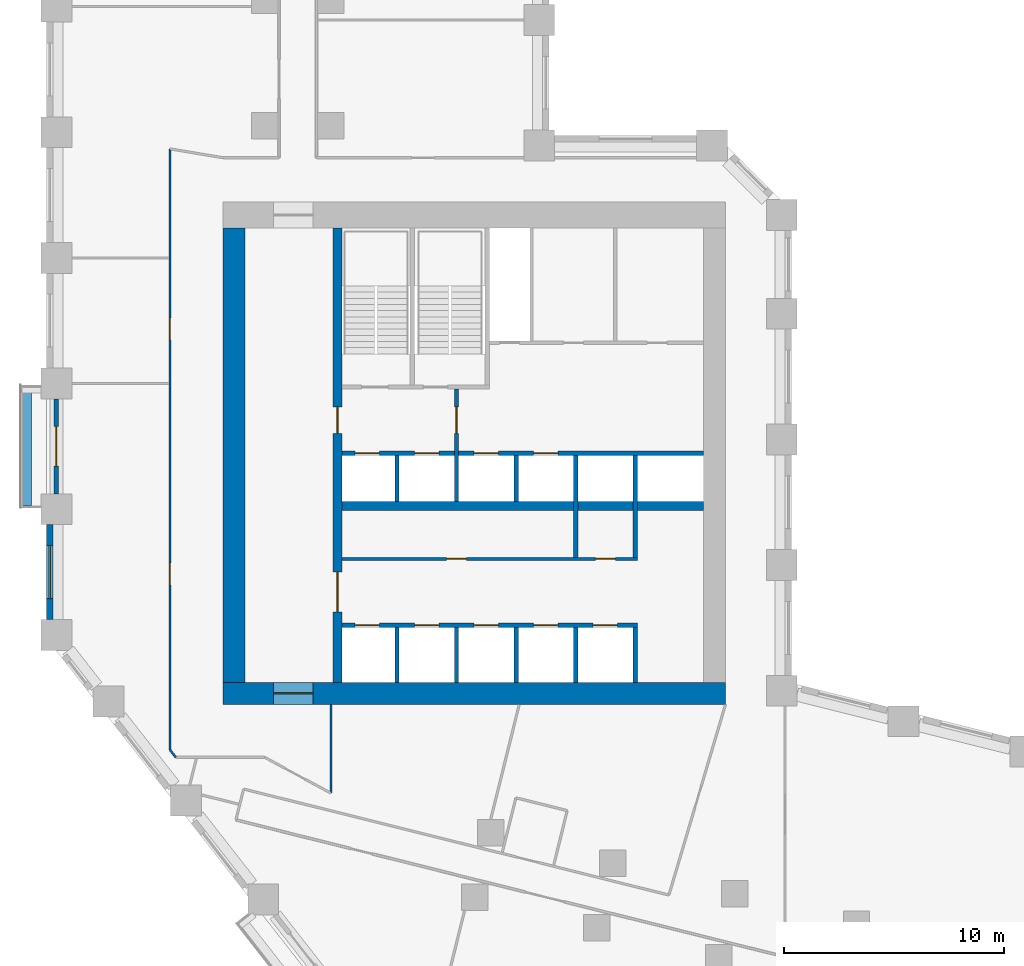
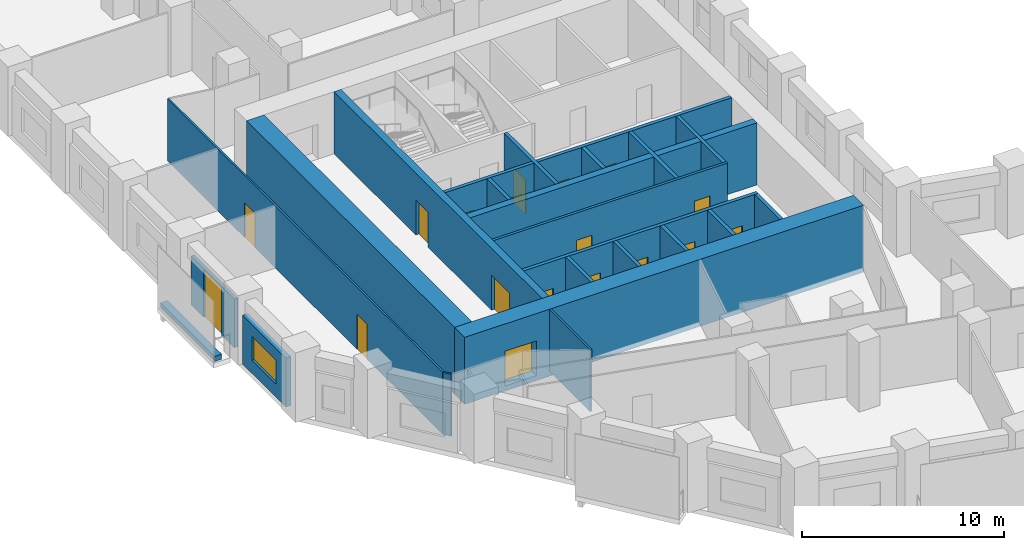
# One storey, part 5 of 12: 23 walls, 18 doors, 1 window, 19 openings.
"""IFC4 building model written with IfcOpenShell, lengths in metres."""

from ifc_helpers import new_model, si_unit, direction, frame, frame_2d, origin, place, context, subcontext, project, spatial, rectangle, extrude, material, layer, layer_set, type_object, element, fill, save


model = new_model("IFC4")

# Units and contexts
model_context = context("Model", 3, precision=1e-05, world=origin(), true_north=direction((0.0, 1.0)))
body_context = subcontext(model_context, "Body", "Model", "MODEL_VIEW")
ifc_project = project(units=[si_unit("LENGTHUNIT", "METRE"), si_unit("AREAUNIT", "SQUARE_METRE"), si_unit("VOLUMEUNIT", "CUBIC_METRE"), si_unit("PLANEANGLEUNIT", "RADIAN"), si_unit("MASSUNIT", "GRAM", prefix="KILO")], contexts=[model_context])

# Site, building, storey
site_placement = place(None, origin())
site = spatial("IfcSite", under=ifc_project, at=site_placement, CompositionType="ELEMENT")
building_placement = place(site_placement, origin())
building = spatial("IfcBuilding", under=site, at=building_placement, Name="Meshkara Civic Tower", CompositionType="ELEMENT")
storey_placement = place(building_placement, frame((0.0, 0.0, 87.60009765625)))
storey = spatial("IfcBuildingStorey", under=building, at=storey_placement, Name="L19", CompositionType="ELEMENT", Elevation=87.60009765625)

# Wall, openings, doors
ifc_material_1 = material(Name="Blockwork", Category="masonry")
ifc_layer_1 = layer(ifc_material_1, 0.14990234375)
ifc_layer_set_1 = layer_set([ifc_layer_1], Name="Core partition 150")
wall_type_1 = type_object("IfcWallType", Name="Core partition 150", PredefinedType="PARTITIONING", material=ifc_layer_set_1)
wall_1_placement = place(storey_placement, frame((13.39990234375, 20.699951171875, 0.0), z_axis=(0.0, 0.0, 1.0), x_axis=(1.0, 0.0, 0.0)))
wall_1 = element("IfcWall", 1, at=wall_1_placement, inside=storey, type_object=wall_type_1, Name="L19-C006", PredefinedType="PARTITIONING", context=body_context, shape_type="SweptSolid", body=[
    extrude(rectangle(XDim=13.400146484375, YDim=0.14990234375, at=frame_2d((6.7001953125, 0.0))), origin(), (0.0, 0.0, 1.0), 3.75),
])
opening_1_placement = place(wall_1_placement, frame((4.75, 0.0, 0.0)))
opening_1 = element("IfcOpeningElement", 2, at=opening_1_placement, cuts=wall_1, Name="Opening L19-K010", PredefinedType="OPENING", context=body_context, shape_type="SweptSolid", body=[
    extrude(rectangle(XDim=0.89990234375, YDim=2.10009765625, at=frame_2d((0.449951171875, 1.050048828125))), frame((0.0, 0.0849609375, 0.0), z_axis=(0.0, -1.0, 0.0), x_axis=(1.0, 0.0, 0.0)), (0.0, 0.0, 1.0), 0.169921875),
])
opening_2_placement = place(wall_1_placement, frame((11.5, 0.0, 0.0)))
opening_2 = element("IfcOpeningElement", 3, at=opening_2_placement, cuts=wall_1, Name="Opening L19-K011", PredefinedType="OPENING", context=body_context, shape_type="SweptSolid", body=[
    extrude(rectangle(XDim=0.89990234375, YDim=2.10009765625, at=frame_2d((0.449951171875, 1.050048828125))), frame((0.0, 0.0849609375, 0.0), z_axis=(0.0, -1.0, 0.0), x_axis=(1.0, 0.0, 0.0)), (0.0, 0.0, 1.0), 0.169921875),
])
ifc_material_2 = material(Name="Timber door leaf in steel frame", Category="steel")
door_type_1 = type_object("IfcDoorType", Name="Core room door 900", OperationType="SINGLE_SWING_LEFT", PredefinedType="DOOR", material=ifc_material_2)
door_1_placement = place(opening_1_placement, origin())
door_1 = element("IfcDoor", 4, at=door_1_placement, inside=storey, type_object=door_type_1, Name="L19-K010", OperationType="SINGLE_SWING_RIGHT", OverallHeight=2.10009765625, OverallWidth=0.89990234375, PredefinedType="DOOR", context=body_context, shape_type="SweptSolid", body=[
    extrude(rectangle(XDim=0.89990234375, YDim=2.10009765625, at=frame_2d((0.449951171875, 1.050048828125))), frame((0.0, 0.02490234375, 0.0), z_axis=(0.0, -1.0, 0.0), x_axis=(1.0, 0.0, 0.0)), (0.0, 0.0, 1.0), 0.050048828125),
])
fill(opening_1, door_1)
door_2_placement = place(opening_2_placement, origin())
door_2 = element("IfcDoor", 5, at=door_2_placement, inside=storey, type_object=door_type_1, Name="L19-K011", OperationType="SINGLE_SWING_RIGHT", OverallHeight=2.10009765625, OverallWidth=0.89990234375, PredefinedType="DOOR", context=body_context, shape_type="SweptSolid", body=[
    extrude(rectangle(XDim=0.89990234375, YDim=2.10009765625, at=frame_2d((0.449951171875, 1.050048828125))), frame((0.0, 0.02490234375, 0.0), z_axis=(0.0, -1.0, 0.0), x_axis=(1.0, 0.0, 0.0)), (0.0, 0.0, 1.0), 0.050048828125),
])
fill(opening_2, door_2)

# Wall, opening, door
ifc_material_3 = material(Name="Concrete C80", Category="concrete")
ifc_layer_2 = layer(ifc_material_3, 1.0)
ifc_layer_set_2 = layer_set([ifc_layer_2], Name="Core ring wall 1000 C80")
wall_type_2 = type_object("IfcWallType", Name="Core ring wall 1000 C80", PredefinedType="SHEAR", material=ifc_layer_set_2)
wall_2_placement = place(storey_placement, frame((8.0, 14.60009765625, -0.300048828125), z_axis=(0.0, 0.0, 1.0), x_axis=(1.0, 0.0, 0.0)))
wall_2 = element("IfcWall", 6, at=wall_2_placement, inside=storey, type_object=wall_type_2, Name="L19-C001", PredefinedType="SHEAR", context=body_context, shape_type="SweptSolid", body=[
    extrude(rectangle(XDim=22.800048828125, YDim=1.0, at=frame_2d((11.39990234375, 0.0))), origin(), (0.0, 0.0, 1.0), 4.050048828125),
])
opening_3_placement = place(wall_2_placement, frame((2.300048828125, 0.0, 0.300048828125)))
opening_3 = element("IfcOpeningElement", 7, at=opening_3_placement, cuts=wall_2, Name="Opening L19-K021", PredefinedType="OPENING", context=body_context, shape_type="SweptSolid", body=[
    extrude(rectangle(XDim=1.800048828125, YDim=2.10009765625, at=frame_2d((0.89990234375, 1.050048828125))), frame((0.0, 0.510009765625, 0.0), z_axis=(0.0, -1.0, 0.0), x_axis=(1.0, 0.0, 0.0)), (0.0, 0.0, 1.0), 1.02001953125),
])
ifc_material_4 = material(Name="Fire-rated door leaf in steel frame", Category="steel")
door_type_2 = type_object("IfcDoorType", Name="Core double door 1800 EI 60", OperationType="DOUBLE_DOOR_SINGLE_SWING", PredefinedType="DOOR", material=ifc_material_4)
door_3_placement = place(opening_3_placement, origin())
door_3 = element("IfcDoor", 8, at=door_3_placement, inside=storey, type_object=door_type_2, Name="L19-K021", OperationType="DOUBLE_DOOR_SINGLE_SWING", OverallHeight=2.10009765625, OverallWidth=1.800048828125, PredefinedType="DOOR", context=body_context, shape_type="SweptSolid", body=[
    extrude(rectangle(XDim=1.800048828125, YDim=2.10009765625, at=frame_2d((0.89990234375, 1.050048828125))), frame((0.0, 0.02490234375, 0.0), z_axis=(0.0, -1.0, 0.0), x_axis=(1.0, 0.0, 0.0)), (0.0, 0.0, 1.0), 0.050048828125),
])
fill(opening_3, door_3)

# Walls
wall_3_placement = place(storey_placement, frame((8.5, 15.10009765625, -0.300048828125), z_axis=(0.0, 0.0, 1.0), x_axis=(0.0, 1.0, 0.0)))
element("IfcWall", 9, at=wall_3_placement, inside=storey, type_object=wall_type_2, Name="L19-C003", PredefinedType="SHEAR", context=body_context, shape_type="SweptSolid", body=[
    extrude(rectangle(XDim=20.599853515625, YDim=1.0, at=frame_2d((10.2998046875, 0.0))), origin(), (0.0, 0.0, 1.0), 4.050048828125),
])
ifc_material_5 = material(Name="Concrete C80", Category="concrete")
ifc_layer_3 = layer(ifc_material_5, 0.39990234375)
ifc_layer_set_3 = layer_set([ifc_layer_3], Name="Core shear wall 400 C80")
wall_type_3 = type_object("IfcWallType", Name="Core shear wall 400 C80", PredefinedType="SHEAR", material=ifc_layer_set_3)
wall_4_placement = place(storey_placement, frame((13.39990234375, 23.10009765625, 0.0), z_axis=(0.0, 0.0, 1.0), x_axis=(1.0, 0.0, 0.0)))
element("IfcWall", 10, at=wall_4_placement, inside=storey, type_object=wall_type_3, Name="L19-C007", PredefinedType="SHEAR", context=body_context, shape_type="SweptSolid", body=[
    extrude(rectangle(XDim=16.400146484375, YDim=0.39990234375, at=frame_2d((8.2001953125, 0.0))), origin(), (0.0, 0.0, 1.0), 3.75),
])

# Wall, openings, doors
wall_5_placement = place(storey_placement, frame((13.199951171875, 15.10009765625, 0.0), z_axis=(0.0, 0.0, 1.0), x_axis=(0.0, 1.0, 0.0)))
wall_5 = element("IfcWall", 11, at=wall_5_placement, inside=storey, type_object=wall_type_3, Name="L19-C011", PredefinedType="SHEAR", context=body_context, shape_type="SweptSolid", body=[
    extrude(rectangle(XDim=20.599853515625, YDim=0.39990234375, at=frame_2d((10.2998046875, 0.0))), origin(), (0.0, 0.0, 1.0), 3.75),
])
opening_4_placement = place(wall_5_placement, frame((3.199951171875, 0.0, 0.0)))
opening_4 = element("IfcOpeningElement", 12, at=opening_4_placement, cuts=wall_5, Name="Opening L19-K017", PredefinedType="OPENING", context=body_context, shape_type="SweptSolid", body=[
    extrude(rectangle(XDim=1.800048828125, YDim=2.10009765625, at=frame_2d((0.89990234375, 1.050048828125))), frame((0.0, 0.2099609375, 0.0), z_axis=(0.0, -1.0, 0.0), x_axis=(1.0, 0.0, 0.0)), (0.0, 0.0, 1.0), 0.419921875),
])
opening_5_placement = place(wall_5_placement, frame((11.300048828125, 0.0, 0.0)))
opening_5 = element("IfcOpeningElement", 13, at=opening_5_placement, cuts=wall_5, Name="Opening L19-K018", PredefinedType="OPENING", context=body_context, shape_type="SweptSolid", body=[
    extrude(rectangle(XDim=1.199951171875, YDim=2.10009765625, at=frame_2d((0.60009765625, 1.050048828125))), frame((0.0, 0.2099609375, 0.0), z_axis=(0.0, -1.0, 0.0), x_axis=(1.0, 0.0, 0.0)), (0.0, 0.0, 1.0), 0.419921875),
])
door_4_placement = place(opening_4_placement, origin())
door_4 = element("IfcDoor", 14, at=door_4_placement, inside=storey, type_object=door_type_2, Name="L19-K017", OperationType="DOUBLE_DOOR_SINGLE_SWING", OverallHeight=2.10009765625, OverallWidth=1.800048828125, PredefinedType="DOOR", context=body_context, shape_type="SweptSolid", body=[
    extrude(rectangle(XDim=1.800048828125, YDim=2.10009765625, at=frame_2d((0.89990234375, 1.050048828125))), frame((0.0, 0.02490234375, 0.0), z_axis=(0.0, -1.0, 0.0), x_axis=(1.0, 0.0, 0.0)), (0.0, 0.0, 1.0), 0.050048828125),
])
fill(opening_4, door_4)
ifc_material_6 = material(Name="Fire-rated door leaf in steel frame", Category="steel")
door_type_3 = type_object("IfcDoorType", Name="Fire-fighting lobby door 1200 EI 120", OperationType="SINGLE_SWING_LEFT", PredefinedType="DOOR", material=ifc_material_6)
door_5_placement = place(opening_5_placement, origin())
door_5 = element("IfcDoor", 15, at=door_5_placement, inside=storey, type_object=door_type_3, Name="L19-K018", OperationType="SINGLE_SWING_LEFT", OverallHeight=2.10009765625, OverallWidth=1.199951171875, PredefinedType="DOOR", context=body_context, shape_type="SweptSolid", body=[
    extrude(rectangle(XDim=1.199951171875, YDim=2.10009765625, at=frame_2d((0.60009765625, 1.050048828125))), frame((0.0, 0.02490234375, 0.0), z_axis=(0.0, -1.0, 0.0), x_axis=(1.0, 0.0, 0.0)), (0.0, 0.0, 1.0), 0.050048828125),
])
fill(opening_5, door_5)

ifc_material_7 = material(Name="Corridor wall 100")
ifc_layer_4 = layer(ifc_material_7, 0.10009765625)
ifc_layer_set_4 = layer_set([ifc_layer_4], Name="Corridor wall 100")
wall_type_4 = type_object("IfcWallType", Name="Corridor wall 100", PredefinedType="PARTITIONING", material=ifc_layer_set_4)
wall_6_placement = place(storey_placement, frame((5.60009765625, 12.04296875, 0.0), z_axis=(0.0, 0.0, 1.0), x_axis=(0.0, 1.0, 0.0)))
wall_6 = element("IfcWall", 16, at=wall_6_placement, inside=storey, type_object=wall_type_4, Name="L19-W003", PredefinedType="PARTITIONING", context=body_context, shape_type="SweptSolid", body=[
    extrude(rectangle(XDim=27.257080078125, YDim=0.10009765625, at=frame_2d((13.62841796875, 0.0))), origin(), (0.0, 0.0, 1.0), 3.75),
])
opening_6_placement = place(wall_6_placement, frame((7.47998046875, 0.0, 0.0)))
opening_6 = element("IfcOpeningElement", 17, at=opening_6_placement, cuts=wall_6, Name="Opening L19-D018", PredefinedType="OPENING", context=body_context, shape_type="SweptSolid", body=[
    extrude(rectangle(XDim=1.0, YDim=2.10009765625, at=frame_2d((0.5, 1.050048828125))), frame((0.0, 0.06005859375, 0.0), z_axis=(0.0, -1.0, 0.0), x_axis=(1.0, 0.0, 0.0)), (0.0, 0.0, 1.0), 0.1201171875),
])
opening_7_placement = place(wall_6_placement, frame((18.592041015625, 0.0, 0.0)))
opening_7 = element("IfcOpeningElement", 18, at=opening_7_placement, cuts=wall_6, Name="Opening L19-D019", PredefinedType="OPENING", context=body_context, shape_type="SweptSolid", body=[
    extrude(rectangle(XDim=1.0, YDim=2.10009765625, at=frame_2d((0.5, 1.050048828125))), frame((0.0, 0.06005859375, 0.0), z_axis=(0.0, -1.0, 0.0), x_axis=(1.0, 0.0, 0.0)), (0.0, 0.0, 1.0), 0.1201171875),
])
ifc_material_8 = material(Name="Door 1000 x 2100")
door_type_4 = type_object("IfcDoorType", Name="Door 1000 x 2100", OperationType="SINGLE_SWING_LEFT", PredefinedType="DOOR", material=ifc_material_8)
door_6_placement = place(opening_6_placement, origin())
door_6 = element("IfcDoor", 19, at=door_6_placement, inside=storey, type_object=door_type_4, Name="L19-D018", OperationType="SINGLE_SWING_LEFT", OverallHeight=2.10009765625, OverallWidth=1.0, PredefinedType="DOOR", context=body_context, shape_type="SweptSolid", body=[
    extrude(rectangle(XDim=1.0, YDim=2.10009765625, at=frame_2d((0.5, 1.050048828125))), frame((0.0, 0.02490234375, 0.0), z_axis=(0.0, -1.0, 0.0), x_axis=(1.0, 0.0, 0.0)), (0.0, 0.0, 1.0), 0.050048828125),
])
fill(opening_6, door_6)
door_7_placement = place(opening_7_placement, origin())
door_7 = element("IfcDoor", 20, at=door_7_placement, inside=storey, type_object=door_type_4, Name="L19-D019", OperationType="SINGLE_SWING_LEFT", OverallHeight=2.10009765625, OverallWidth=1.0, PredefinedType="DOOR", context=body_context, shape_type="SweptSolid", body=[
    extrude(rectangle(XDim=1.0, YDim=2.10009765625, at=frame_2d((0.5, 1.050048828125))), frame((0.0, 0.02490234375, 0.0), z_axis=(0.0, -1.0, 0.0), x_axis=(1.0, 0.0, 0.0)), (0.0, 0.0, 1.0), 0.050048828125),
])
fill(opening_7, door_7)

# Walls
wall_7_placement = place(storey_placement, frame((5.60009765625, 12.04296875, 0.0), z_axis=(0.0, 0.0, 1.0), x_axis=(0.615415398102, -0.788202948344, 0.0)))
element("IfcWall", 21, at=wall_7_placement, inside=storey, type_object=wall_type_4, Name="L19-W004", PredefinedType="PARTITIONING", context=body_context, shape_type="SweptSolid", body=[
    extrude(rectangle(XDim=0.435302734375, YDim=0.10009765625, at=frame_2d((0.2177734375, 0.0))), origin(), (0.0, 0.0, 1.0), 3.75),
])
wall_8_placement = place(storey_placement, frame((12.89990234375, 10.077880859375, 0.0), z_axis=(0.0, 0.0, 1.0), x_axis=(0.0, 1.0, 0.0)))
element("IfcWall", 22, at=wall_8_placement, inside=storey, type_object=wall_type_4, Name="L19-W015", PredefinedType="PARTITIONING", context=body_context, shape_type="SweptSolid", body=[
    extrude(rectangle(XDim=4.022216796875, YDim=0.10009765625, at=frame_2d((2.01123046875, 0.0))), origin(), (0.0, 0.0, 1.0), 3.75),
])

# Wall, opening, window
ifc_material_9 = material(Name="Insulated infill panel with bronze anodised aluminium cladding", Category="aluminium")
ifc_layer_5 = layer(ifc_material_9, 0.300048828125)
ifc_layer_set_5 = layer_set([ifc_layer_5], Name="EXTERNAL INFILL WALL 300")
wall_type_5 = type_object("IfcWallType", Name="EXTERNAL INFILL WALL 300", PredefinedType="SOLIDWALL", material=ifc_layer_set_5)
wall_9_placement = place(storey_placement, frame((0.14990234375, 22.2548828125, 0.0), z_axis=(0.0, 0.0, 1.0), x_axis=(0.0, -1.0, 0.0)))
wall_9 = element("IfcWall", 23, at=wall_9_placement, inside=storey, type_object=wall_type_5, Name="External wall", PredefinedType="SOLIDWALL", context=body_context, shape_type="SweptSolid", body=[
    extrude(rectangle(XDim=4.2998046875, YDim=0.300048828125, at=frame_2d((2.14990234375, 0.0))), origin(), (0.0, 0.0, 1.0), 2.949951171875),
])
opening_8_placement = place(wall_9_placement, frame((0.949951171875, 0.0, 0.800048828125)))
opening_8 = element("IfcOpeningElement", 24, at=opening_8_placement, cuts=wall_9, Name="Opening W8", PredefinedType="OPENING", context=body_context, shape_type="SweptSolid", body=[
    extrude(rectangle(XDim=2.39990234375, YDim=1.449951171875, at=frame_2d((1.199951171875, 0.72509765625))), frame((0.0, 0.159912109375, 0.0), z_axis=(0.0, -1.0, 0.0), x_axis=(1.0, 0.0, 0.0)), (0.0, 0.0, 1.0), 0.320068359375),
])
ifc_material_10 = material(Name="Tinted double glazing", Category="glass")
window_type = type_object("IfcWindowType", Name="WINDOW 2400x1450", PartitioningType="DOUBLE_PANEL_VERTICAL", PredefinedType="WINDOW", material=ifc_material_10)
window_placement = place(opening_8_placement, origin())
window = element("IfcWindow", 25, at=window_placement, inside=storey, type_object=window_type, Name="Window", OverallHeight=1.449951171875, OverallWidth=2.39990234375, PartitioningType="DOUBLE_PANEL_VERTICAL", PredefinedType="WINDOW", context=body_context, shape_type="SweptSolid", body=[
    extrude(rectangle(XDim=2.39990234375, YDim=1.449951171875, at=frame_2d((1.199951171875, 0.72509765625))), frame((0.0, 0.030029296875, 0.0), z_axis=(0.0, -1.0, 0.0), x_axis=(1.0, 0.0, 0.0)), (0.0, 0.0, 1.0), 0.06005859375),
])
fill(opening_8, window)

# Wall, opening, door
ifc_material_11 = material(Name="Insulated infill panel with bronze anodised aluminium cladding", Category="aluminium")
ifc_layer_6 = layer(ifc_material_11, 0.199951171875)
ifc_layer_set_6 = layer_set([ifc_layer_6], Name="LOGGIA BACK WALL 200")
wall_type_6 = type_object("IfcWallType", Name="LOGGIA BACK WALL 200", PredefinedType="SOLIDWALL", material=ifc_layer_set_6)
wall_10_placement = place(storey_placement, frame((0.449951171875, 27.9541015625, 0.0), z_axis=(0.0, 0.0, 1.0), x_axis=(0.0, -1.0, 0.0)))
wall_10 = element("IfcWall", 26, at=wall_10_placement, inside=storey, type_object=wall_type_6, Name="Loggia wall", PredefinedType="SOLIDWALL", context=body_context, shape_type="SweptSolid", body=[
    extrude(rectangle(XDim=4.298095703125, YDim=0.199951171875, at=frame_2d((2.14892578125, 0.0))), origin(), (0.0, 0.0, 1.0), 2.949951171875),
])
opening_9_placement = place(wall_10_placement, frame((1.2490234375, 0.0, 0.0)))
opening_9 = element("IfcOpeningElement", 27, at=opening_9_placement, cuts=wall_10, Name="Opening L19-L002", PredefinedType="OPENING", context=body_context, shape_type="SweptSolid", body=[
    extrude(rectangle(XDim=1.800048828125, YDim=2.89990234375, at=frame_2d((0.89990234375, 1.449951171875))), frame((0.0, 0.10986328125, 0.0), z_axis=(0.0, -1.0, 0.0), x_axis=(1.0, 0.0, 0.0)), (0.0, 0.0, 1.0), 0.219970703125),
])
ifc_material_12 = material(Name="Tinted double glazing", Category="glass")
door_type_5 = type_object("IfcDoorType", Name="LOGGIA DOOR 1800x2900", OperationType="DOUBLE_DOOR_SINGLE_SWING", PredefinedType="DOOR", material=ifc_material_12)
door_8_placement = place(opening_9_placement, origin())
door_8 = element("IfcDoor", 28, at=door_8_placement, inside=storey, type_object=door_type_5, Name="L19-L002", OperationType="DOUBLE_DOOR_SINGLE_SWING", OverallHeight=2.89990234375, OverallWidth=1.800048828125, PredefinedType="DOOR", context=body_context, shape_type="SweptSolid", body=[
    extrude(rectangle(XDim=1.800048828125, YDim=2.89990234375, at=frame_2d((0.89990234375, 1.449951171875))), frame((0.0, 0.02490234375, 0.0), z_axis=(0.0, -1.0, 0.0), x_axis=(1.0, 0.0, 0.0)), (0.0, 0.0, 1.0), 0.050048828125),
])
fill(opening_9, door_8)

# Wall
ifc_material_13 = material(Name="Concrete C40", Category="concrete")
ifc_layer_7 = layer(ifc_material_13, 0.39990234375)
ifc_layer_set_7 = layer_set([ifc_layer_7], Name="PLANTER TRAY")
wall_type_7 = type_object("IfcWallType", Name="PLANTER TRAY", PredefinedType="SOLIDWALL", material=ifc_layer_set_7)
wall_11_placement = place(storey_placement, frame((-0.8798828125, 28.485107421875, 0.0), z_axis=(0.0, 0.0, 1.0), x_axis=(0.0, -1.0, 0.0)))
element("IfcWall", 29, at=wall_11_placement, inside=storey, type_object=wall_type_7, Name="Planter", PredefinedType="SOLIDWALL", context=body_context, shape_type="SweptSolid", body=[
    extrude(rectangle(XDim=5.360107421875, YDim=0.39990234375, at=frame_2d((2.68017578125, 0.0))), origin(), (0.0, 0.0, 1.0), 0.2998046875),
])

# Wall, openings, doors
ifc_material_14 = material(Name="Concrete C40/50", Category="concrete")
ifc_layer_8 = layer(ifc_material_14, 0.199951171875)
ifc_layer_set_8 = layer_set([ifc_layer_8], Name="Shaft wall 200 C40/50")
wall_type_8 = type_object("IfcWallType", Name="Shaft wall 200 C40/50", PredefinedType="SOLIDWALL", material=ifc_layer_set_8)
wall_12_placement = place(storey_placement, frame((13.39990234375, 17.699951171875, 0.0), z_axis=(0.0, 0.0, 1.0), x_axis=(1.0, 0.0, 0.0)))
wall_12 = element("IfcWall", 30, at=wall_12_placement, inside=storey, type_object=wall_type_8, Name="L19-C005", PredefinedType="SOLIDWALL", context=body_context, shape_type="SweptSolid", body=[
    extrude(rectangle(XDim=13.400146484375, YDim=0.199951171875, at=frame_2d((6.7001953125, 0.0))), origin(), (0.0, 0.0, 1.0), 3.75),
])
opening_10_placement = place(wall_12_placement, frame((0.60009765625, 0.0, 0.0)))
opening_10 = element("IfcOpeningElement", 31, at=opening_10_placement, cuts=wall_12, Name="Opening L19-K001", PredefinedType="OPENING", context=body_context, shape_type="SweptSolid", body=[
    extrude(rectangle(XDim=1.10009765625, YDim=2.10009765625, at=frame_2d((0.550048828125, 1.050048828125))), frame((0.0, 0.10986328125, 0.0), z_axis=(0.0, -1.0, 0.0), x_axis=(1.0, 0.0, 0.0)), (0.0, 0.0, 1.0), 0.219970703125),
])
opening_11_placement = place(wall_12_placement, frame((3.300048828125, 0.0, 0.0)))
opening_11 = element("IfcOpeningElement", 32, at=opening_11_placement, cuts=wall_12, Name="Opening L19-K002", PredefinedType="OPENING", context=body_context, shape_type="SweptSolid", body=[
    extrude(rectangle(XDim=1.10009765625, YDim=2.10009765625, at=frame_2d((0.550048828125, 1.050048828125))), frame((0.0, 0.10986328125, 0.0), z_axis=(0.0, -1.0, 0.0), x_axis=(1.0, 0.0, 0.0)), (0.0, 0.0, 1.0), 0.219970703125),
])
opening_12_placement = place(wall_12_placement, frame((6.0, 0.0, 0.0)))
opening_12 = element("IfcOpeningElement", 33, at=opening_12_placement, cuts=wall_12, Name="Opening L19-K003", PredefinedType="OPENING", context=body_context, shape_type="SweptSolid", body=[
    extrude(rectangle(XDim=1.10009765625, YDim=2.10009765625, at=frame_2d((0.550048828125, 1.050048828125))), frame((0.0, 0.10986328125, 0.0), z_axis=(0.0, -1.0, 0.0), x_axis=(1.0, 0.0, 0.0)), (0.0, 0.0, 1.0), 0.219970703125),
])
opening_13_placement = place(wall_12_placement, frame((8.699951171875, 0.0, 0.0)))
opening_13 = element("IfcOpeningElement", 34, at=opening_13_placement, cuts=wall_12, Name="Opening L19-K004", PredefinedType="OPENING", context=body_context, shape_type="SweptSolid", body=[
    extrude(rectangle(XDim=1.10009765625, YDim=2.10009765625, at=frame_2d((0.550048828125, 1.050048828125))), frame((0.0, 0.10986328125, 0.0), z_axis=(0.0, -1.0, 0.0), x_axis=(1.0, 0.0, 0.0)), (0.0, 0.0, 1.0), 0.219970703125),
])
opening_14_placement = place(wall_12_placement, frame((11.39990234375, 0.0, 0.0)))
opening_14 = element("IfcOpeningElement", 35, at=opening_14_placement, cuts=wall_12, Name="Opening L19-K005", PredefinedType="OPENING", context=body_context, shape_type="SweptSolid", body=[
    extrude(rectangle(XDim=1.10009765625, YDim=2.10009765625, at=frame_2d((0.550048828125, 1.050048828125))), frame((0.0, 0.10986328125, 0.0), z_axis=(0.0, -1.0, 0.0), x_axis=(1.0, 0.0, 0.0)), (0.0, 0.0, 1.0), 0.219970703125),
])
ifc_material_15 = material(Name="Stainless steel landing door", Category="steel")
door_type_6 = type_object("IfcDoorType", Name="Lift landing door 1100", OperationType="SLIDING_TO_LEFT", PredefinedType="DOOR", material=ifc_material_15)
door_9_placement = place(opening_10_placement, origin())
door_9 = element("IfcDoor", 36, at=door_9_placement, inside=storey, type_object=door_type_6, Name="L19-K001", OperationType="SLIDING_TO_LEFT", OverallHeight=2.10009765625, OverallWidth=1.10009765625, PredefinedType="DOOR", context=body_context, shape_type="SweptSolid", body=[
    extrude(rectangle(XDim=1.10009765625, YDim=2.10009765625, at=frame_2d((0.550048828125, 1.050048828125))), frame((0.0, 0.02490234375, 0.0), z_axis=(0.0, -1.0, 0.0), x_axis=(1.0, 0.0, 0.0)), (0.0, 0.0, 1.0), 0.050048828125),
])
fill(opening_10, door_9)
door_10_placement = place(opening_11_placement, origin())
door_10 = element("IfcDoor", 37, at=door_10_placement, inside=storey, type_object=door_type_6, Name="L19-K002", OperationType="SLIDING_TO_LEFT", OverallHeight=2.10009765625, OverallWidth=1.10009765625, PredefinedType="DOOR", context=body_context, shape_type="SweptSolid", body=[
    extrude(rectangle(XDim=1.10009765625, YDim=2.10009765625, at=frame_2d((0.550048828125, 1.050048828125))), frame((0.0, 0.02490234375, 0.0), z_axis=(0.0, -1.0, 0.0), x_axis=(1.0, 0.0, 0.0)), (0.0, 0.0, 1.0), 0.050048828125),
])
fill(opening_11, door_10)
door_11_placement = place(opening_12_placement, origin())
door_11 = element("IfcDoor", 38, at=door_11_placement, inside=storey, type_object=door_type_6, Name="L19-K003", OperationType="SLIDING_TO_LEFT", OverallHeight=2.10009765625, OverallWidth=1.10009765625, PredefinedType="DOOR", context=body_context, shape_type="SweptSolid", body=[
    extrude(rectangle(XDim=1.10009765625, YDim=2.10009765625, at=frame_2d((0.550048828125, 1.050048828125))), frame((0.0, 0.02490234375, 0.0), z_axis=(0.0, -1.0, 0.0), x_axis=(1.0, 0.0, 0.0)), (0.0, 0.0, 1.0), 0.050048828125),
])
fill(opening_12, door_11)
door_12_placement = place(opening_13_placement, origin())
door_12 = element("IfcDoor", 39, at=door_12_placement, inside=storey, type_object=door_type_6, Name="L19-K004", OperationType="SLIDING_TO_LEFT", OverallHeight=2.10009765625, OverallWidth=1.10009765625, PredefinedType="DOOR", context=body_context, shape_type="SweptSolid", body=[
    extrude(rectangle(XDim=1.10009765625, YDim=2.10009765625, at=frame_2d((0.550048828125, 1.050048828125))), frame((0.0, 0.02490234375, 0.0), z_axis=(0.0, -1.0, 0.0), x_axis=(1.0, 0.0, 0.0)), (0.0, 0.0, 1.0), 0.050048828125),
])
fill(opening_13, door_12)
door_13_placement = place(opening_14_placement, origin())
door_13 = element("IfcDoor", 40, at=door_13_placement, inside=storey, type_object=door_type_6, Name="L19-K005", OperationType="SLIDING_TO_LEFT", OverallHeight=2.10009765625, OverallWidth=1.10009765625, PredefinedType="DOOR", context=body_context, shape_type="SweptSolid", body=[
    extrude(rectangle(XDim=1.10009765625, YDim=2.10009765625, at=frame_2d((0.550048828125, 1.050048828125))), frame((0.0, 0.02490234375, 0.0), z_axis=(0.0, -1.0, 0.0), x_axis=(1.0, 0.0, 0.0)), (0.0, 0.0, 1.0), 0.050048828125),
])
fill(opening_14, door_13)

wall_13_placement = place(storey_placement, frame((13.39990234375, 25.5, 0.0), z_axis=(0.0, 0.0, 1.0), x_axis=(1.0, 0.0, 0.0)))
wall_13 = element("IfcWall", 41, at=wall_13_placement, inside=storey, type_object=wall_type_8, Name="L19-C008", PredefinedType="SOLIDWALL", context=body_context, shape_type="SweptSolid", body=[
    extrude(rectangle(XDim=16.400146484375, YDim=0.199951171875, at=frame_2d((8.2001953125, 0.0))), origin(), (0.0, 0.0, 1.0), 3.75),
])
opening_15_placement = place(wall_13_placement, frame((0.60009765625, 0.0, 0.0)))
opening_15 = element("IfcOpeningElement", 42, at=opening_15_placement, cuts=wall_13, Name="Opening L19-K006", PredefinedType="OPENING", context=body_context, shape_type="SweptSolid", body=[
    extrude(rectangle(XDim=1.10009765625, YDim=2.10009765625, at=frame_2d((0.550048828125, 1.050048828125))), frame((0.0, 0.10986328125, 0.0), z_axis=(0.0, -1.0, 0.0), x_axis=(1.0, 0.0, 0.0)), (0.0, 0.0, 1.0), 0.219970703125),
])
opening_16_placement = place(wall_13_placement, frame((3.300048828125, 0.0, 0.0)))
opening_16 = element("IfcOpeningElement", 43, at=opening_16_placement, cuts=wall_13, Name="Opening L19-K007", PredefinedType="OPENING", context=body_context, shape_type="SweptSolid", body=[
    extrude(rectangle(XDim=1.10009765625, YDim=2.10009765625, at=frame_2d((0.550048828125, 1.050048828125))), frame((0.0, 0.10986328125, 0.0), z_axis=(0.0, -1.0, 0.0), x_axis=(1.0, 0.0, 0.0)), (0.0, 0.0, 1.0), 0.219970703125),
])
opening_17_placement = place(wall_13_placement, frame((6.0, 0.0, 0.0)))
opening_17 = element("IfcOpeningElement", 44, at=opening_17_placement, cuts=wall_13, Name="Opening L19-K008", PredefinedType="OPENING", context=body_context, shape_type="SweptSolid", body=[
    extrude(rectangle(XDim=1.10009765625, YDim=2.10009765625, at=frame_2d((0.550048828125, 1.050048828125))), frame((0.0, 0.10986328125, 0.0), z_axis=(0.0, -1.0, 0.0), x_axis=(1.0, 0.0, 0.0)), (0.0, 0.0, 1.0), 0.219970703125),
])
opening_18_placement = place(wall_13_placement, frame((8.699951171875, 0.0, 0.0)))
opening_18 = element("IfcOpeningElement", 45, at=opening_18_placement, cuts=wall_13, Name="Opening L19-K009", PredefinedType="OPENING", context=body_context, shape_type="SweptSolid", body=[
    extrude(rectangle(XDim=1.10009765625, YDim=2.10009765625, at=frame_2d((0.550048828125, 1.050048828125))), frame((0.0, 0.10986328125, 0.0), z_axis=(0.0, -1.0, 0.0), x_axis=(1.0, 0.0, 0.0)), (0.0, 0.0, 1.0), 0.219970703125),
])
door_14_placement = place(opening_15_placement, origin())
door_14 = element("IfcDoor", 46, at=door_14_placement, inside=storey, type_object=door_type_6, Name="L19-K006", OperationType="SLIDING_TO_LEFT", OverallHeight=2.10009765625, OverallWidth=1.10009765625, PredefinedType="DOOR", context=body_context, shape_type="SweptSolid", body=[
    extrude(rectangle(XDim=1.10009765625, YDim=2.10009765625, at=frame_2d((0.550048828125, 1.050048828125))), frame((0.0, 0.02490234375, 0.0), z_axis=(0.0, -1.0, 0.0), x_axis=(1.0, 0.0, 0.0)), (0.0, 0.0, 1.0), 0.050048828125),
])
fill(opening_15, door_14)
door_15_placement = place(opening_16_placement, origin())
door_15 = element("IfcDoor", 47, at=door_15_placement, inside=storey, type_object=door_type_6, Name="L19-K007", OperationType="SLIDING_TO_LEFT", OverallHeight=2.10009765625, OverallWidth=1.10009765625, PredefinedType="DOOR", context=body_context, shape_type="SweptSolid", body=[
    extrude(rectangle(XDim=1.10009765625, YDim=2.10009765625, at=frame_2d((0.550048828125, 1.050048828125))), frame((0.0, 0.02490234375, 0.0), z_axis=(0.0, -1.0, 0.0), x_axis=(1.0, 0.0, 0.0)), (0.0, 0.0, 1.0), 0.050048828125),
])
fill(opening_16, door_15)
door_16_placement = place(opening_17_placement, origin())
door_16 = element("IfcDoor", 48, at=door_16_placement, inside=storey, type_object=door_type_6, Name="L19-K008", OperationType="SLIDING_TO_LEFT", OverallHeight=2.10009765625, OverallWidth=1.10009765625, PredefinedType="DOOR", context=body_context, shape_type="SweptSolid", body=[
    extrude(rectangle(XDim=1.10009765625, YDim=2.10009765625, at=frame_2d((0.550048828125, 1.050048828125))), frame((0.0, 0.02490234375, 0.0), z_axis=(0.0, -1.0, 0.0), x_axis=(1.0, 0.0, 0.0)), (0.0, 0.0, 1.0), 0.050048828125),
])
fill(opening_17, door_16)
door_17_placement = place(opening_18_placement, origin())
door_17 = element("IfcDoor", 49, at=door_17_placement, inside=storey, type_object=door_type_6, Name="L19-K009", OperationType="SLIDING_TO_LEFT", OverallHeight=2.10009765625, OverallWidth=1.10009765625, PredefinedType="DOOR", context=body_context, shape_type="SweptSolid", body=[
    extrude(rectangle(XDim=1.10009765625, YDim=2.10009765625, at=frame_2d((0.550048828125, 1.050048828125))), frame((0.0, 0.02490234375, 0.0), z_axis=(0.0, -1.0, 0.0), x_axis=(1.0, 0.0, 0.0)), (0.0, 0.0, 1.0), 0.050048828125),
])
fill(opening_18, door_17)

# Walls
wall_14_placement = place(storey_placement, frame((15.89990234375, 15.10009765625, 0.0), z_axis=(0.0, 0.0, 1.0), x_axis=(0.0, 1.0, 0.0)))
element("IfcWall", 50, at=wall_14_placement, inside=storey, type_object=wall_type_8, Name="L19-C012", PredefinedType="SOLIDWALL", context=body_context, shape_type="SweptSolid", body=[
    extrude(rectangle(XDim=2.5, YDim=0.199951171875, at=frame_2d((1.25, 0.0))), origin(), (0.0, 0.0, 1.0), 3.75),
])
wall_15_placement = place(storey_placement, frame((15.89990234375, 23.300048828125, 0.0), z_axis=(0.0, 0.0, 1.0), x_axis=(0.0, 1.0, 0.0)))
element("IfcWall", 51, at=wall_15_placement, inside=storey, type_object=wall_type_8, Name="L19-C013", PredefinedType="SOLIDWALL", context=body_context, shape_type="SweptSolid", body=[
    extrude(rectangle(XDim=2.099853515625, YDim=0.199951171875, at=frame_2d((1.0498046875, 0.0))), origin(), (0.0, 0.0, 1.0), 3.75),
])
wall_16_placement = place(storey_placement, frame((18.60009765625, 15.10009765625, 0.0), z_axis=(0.0, 0.0, 1.0), x_axis=(0.0, 1.0, 0.0)))
element("IfcWall", 52, at=wall_16_placement, inside=storey, type_object=wall_type_8, Name="L19-C015", PredefinedType="SOLIDWALL", context=body_context, shape_type="SweptSolid", body=[
    extrude(rectangle(XDim=2.5, YDim=0.199951171875, at=frame_2d((1.25, 0.0))), origin(), (0.0, 0.0, 1.0), 3.75),
])

# Wall, opening, door
wall_17_placement = place(storey_placement, frame((18.60009765625, 23.300048828125, 0.0), z_axis=(0.0, 0.0, 1.0), x_axis=(0.0, 1.0, 0.0)))
wall_17 = element("IfcWall", 53, at=wall_17_placement, inside=storey, type_object=wall_type_8, Name="L19-C016", PredefinedType="SOLIDWALL", context=body_context, shape_type="SweptSolid", body=[
    extrude(rectangle(XDim=5.099853515625, YDim=0.199951171875, at=frame_2d((2.5498046875, 0.0))), origin(), (0.0, 0.0, 1.0), 3.75),
])
opening_19_placement = place(wall_17_placement, frame((3.10009765625, 0.0, 0.0)))
opening_19 = element("IfcOpeningElement", 54, at=opening_19_placement, cuts=wall_17, Name="Opening L19-K019", PredefinedType="OPENING", context=body_context, shape_type="SweptSolid", body=[
    extrude(rectangle(XDim=1.199951171875, YDim=2.10009765625, at=frame_2d((0.60009765625, 1.050048828125))), frame((0.0, 0.10986328125, 0.0), z_axis=(0.0, -1.0, 0.0), x_axis=(1.0, 0.0, 0.0)), (0.0, 0.0, 1.0), 0.219970703125),
])
door_18_placement = place(opening_19_placement, origin())
door_18 = element("IfcDoor", 55, at=door_18_placement, inside=storey, type_object=door_type_3, Name="L19-K019", OperationType="SINGLE_SWING_RIGHT", OverallHeight=2.10009765625, OverallWidth=1.199951171875, PredefinedType="DOOR", context=body_context, shape_type="SweptSolid", body=[
    extrude(rectangle(XDim=1.199951171875, YDim=2.10009765625, at=frame_2d((0.60009765625, 1.050048828125))), frame((0.0, 0.02490234375, 0.0), z_axis=(0.0, -1.0, 0.0), x_axis=(1.0, 0.0, 0.0)), (0.0, 0.0, 1.0), 0.050048828125),
])
fill(opening_19, door_18)

# Walls
wall_18_placement = place(storey_placement, frame((21.300048828125, 15.10009765625, 0.0), z_axis=(0.0, 0.0, 1.0), x_axis=(0.0, 1.0, 0.0)))
element("IfcWall", 56, at=wall_18_placement, inside=storey, type_object=wall_type_8, Name="L19-C018", PredefinedType="SOLIDWALL", context=body_context, shape_type="SweptSolid", body=[
    extrude(rectangle(XDim=2.5, YDim=0.199951171875, at=frame_2d((1.25, 0.0))), origin(), (0.0, 0.0, 1.0), 3.75),
])
wall_19_placement = place(storey_placement, frame((21.300048828125, 23.300048828125, 0.0), z_axis=(0.0, 0.0, 1.0), x_axis=(0.0, 1.0, 0.0)))
element("IfcWall", 57, at=wall_19_placement, inside=storey, type_object=wall_type_8, Name="L19-C019", PredefinedType="SOLIDWALL", context=body_context, shape_type="SweptSolid", body=[
    extrude(rectangle(XDim=2.099853515625, YDim=0.199951171875, at=frame_2d((1.0498046875, 0.0))), origin(), (0.0, 0.0, 1.0), 3.75),
])
wall_20_placement = place(storey_placement, frame((24.0, 15.10009765625, 0.0), z_axis=(0.0, 0.0, 1.0), x_axis=(0.0, 1.0, 0.0)))
element("IfcWall", 58, at=wall_20_placement, inside=storey, type_object=wall_type_8, Name="L19-C021", PredefinedType="SOLIDWALL", context=body_context, shape_type="SweptSolid", body=[
    extrude(rectangle(XDim=2.5, YDim=0.199951171875, at=frame_2d((1.25, 0.0))), origin(), (0.0, 0.0, 1.0), 3.75),
])
wall_21_placement = place(storey_placement, frame((24.0, 20.77490234375, 0.0), z_axis=(0.0, 0.0, 1.0), x_axis=(0.0, 1.0, 0.0)))
element("IfcWall", 59, at=wall_21_placement, inside=storey, type_object=wall_type_8, Name="L19-C022", PredefinedType="SOLIDWALL", context=body_context, shape_type="SweptSolid", body=[
    extrude(rectangle(XDim=4.625, YDim=0.199951171875, at=frame_2d((2.3125, 0.0))), origin(), (0.0, 0.0, 1.0), 3.75),
])
wall_22_placement = place(storey_placement, frame((26.699951171875, 15.10009765625, 0.0), z_axis=(0.0, 0.0, 1.0), x_axis=(0.0, 1.0, 0.0)))
element("IfcWall", 60, at=wall_22_placement, inside=storey, type_object=wall_type_8, Name="L19-C024", PredefinedType="SOLIDWALL", context=body_context, shape_type="SweptSolid", body=[
    extrude(rectangle(XDim=2.5, YDim=0.199951171875, at=frame_2d((1.25, 0.0))), origin(), (0.0, 0.0, 1.0), 3.75),
])
wall_23_placement = place(storey_placement, frame((26.699951171875, 20.77490234375, 0.0), z_axis=(0.0, 0.0, 1.0), x_axis=(0.0, 1.0, 0.0)))
element("IfcWall", 61, at=wall_23_placement, inside=storey, type_object=wall_type_8, Name="L19-C025", PredefinedType="SOLIDWALL", context=body_context, shape_type="SweptSolid", body=[
    extrude(rectangle(XDim=4.625, YDim=0.199951171875, at=frame_2d((2.3125, 0.0))), origin(), (0.0, 0.0, 1.0), 3.75),
])

save(model, "model.ifc")
